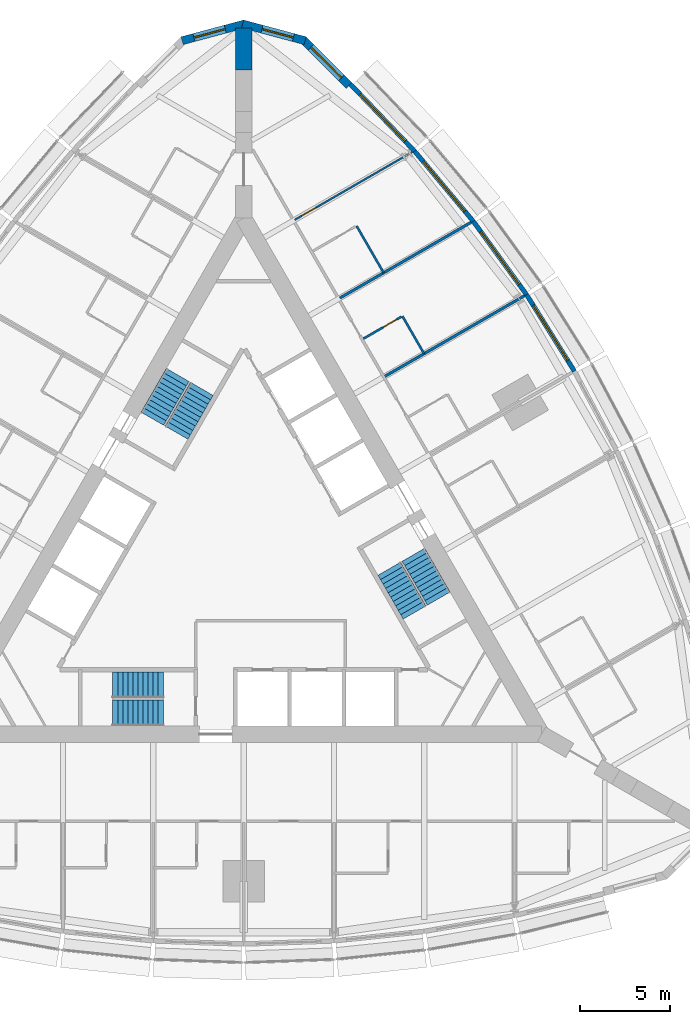
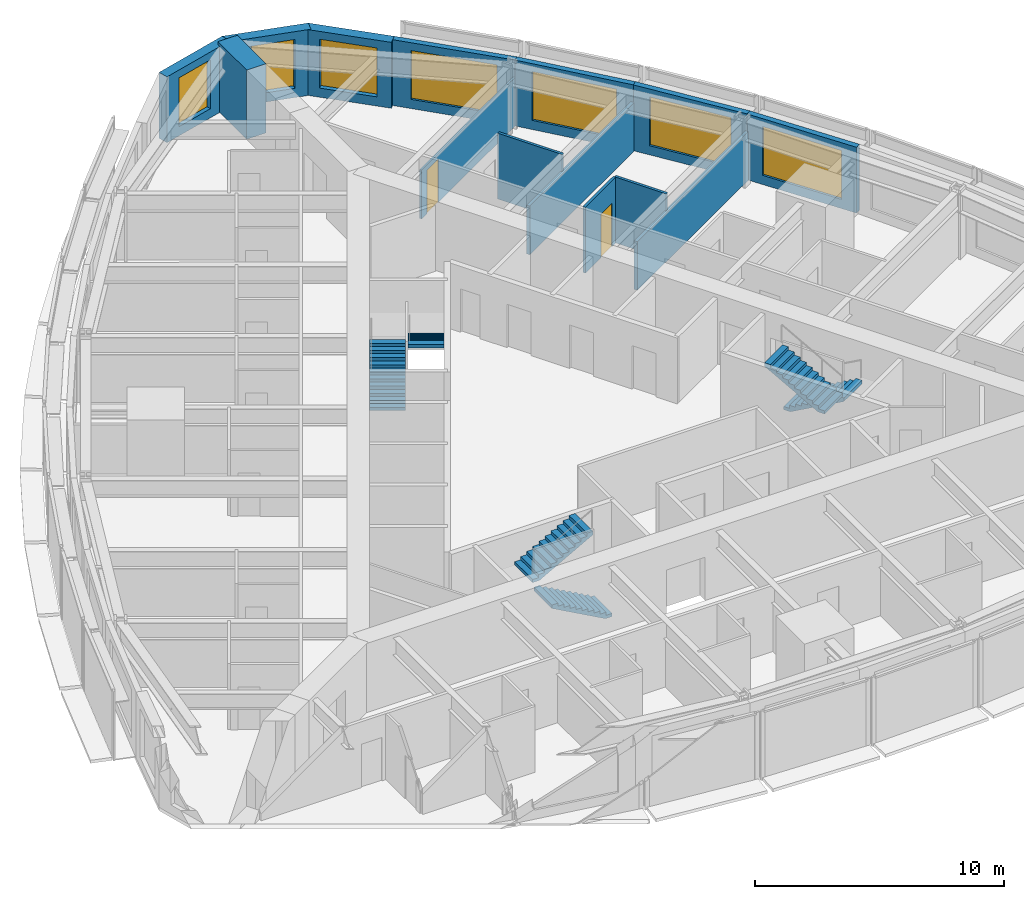
# One storey, part 13 of 14: 14 walls, 7 windows, 6 stair flights, 2 doors, 9 openings, 3 elements without a shape of their own.
"""IFC4 building model written with IfcOpenShell, lengths in metres."""

from ifc_helpers import new_model, si_unit, direction, frame, frame_2d, origin, place, context, subcontext, project, spatial, polyline, rectangle, outline, extrude, material, layer, layer_set, type_object, element, fill, aggregate, save


model = new_model("IFC4")

# Units and contexts
model_context = context("Model", 3, precision=1e-05, world=origin(), true_north=direction((0.0, 1.0)))
body_context = subcontext(model_context, "Body", "Model", "MODEL_VIEW")
ifc_project = project(units=[si_unit("LENGTHUNIT", "METRE"), si_unit("AREAUNIT", "SQUARE_METRE"), si_unit("VOLUMEUNIT", "CUBIC_METRE"), si_unit("PLANEANGLEUNIT", "RADIAN"), si_unit("MASSUNIT", "GRAM", prefix="KILO")], contexts=[model_context])

# Site, building, storey
site_placement = place(None, origin())
site = spatial("IfcSite", under=ifc_project, at=site_placement, CompositionType="ELEMENT")
building_placement = place(site_placement, origin())
building = spatial("IfcBuilding", under=site, at=building_placement, Name="Trikona Tower", CompositionType="ELEMENT")
storey_placement = place(building_placement, frame((0.0, 0.0, 118.10009765625)))
storey = spatial("IfcBuildingStorey", under=building, at=storey_placement, Name="L30", CompositionType="ELEMENT", Elevation=118.10009765625)

# Wall
ifc_material_1 = material(Name="Metal stud and cement board", Category="gypsum")
ifc_layer_1 = layer(ifc_material_1, 0.1201171875)
ifc_layer_set_1 = layer_set([ifc_layer_1], Name="Bathroom wall 120")
wall_type_1 = type_object("IfcWallType", Name="Bathroom wall 120", PredefinedType="PLUMBINGWALL", material=ifc_layer_set_1)
wall_1_placement = place(storey_placement, frame((9.993408203125, 11.543212890625, 0.0), z_axis=(0.0, 0.0, 1.0), x_axis=(-0.500001309137, 0.866024647952, 0.0)))
element("IfcWall", 1, at=wall_1_placement, inside=storey, type_object=wall_type_1, Name="Bathroom wall 3011", PredefinedType="PLUMBINGWALL", context=body_context, shape_type="SweptSolid", body=[
    extrude(rectangle(XDim=2.39990234375, YDim=0.1201171875, at=frame_2d((1.199951171875, 0.0))), origin(), (0.0, 0.0, 1.0), 3.23486328125),
])

# Wall, opening, door
wall_2_placement = place(storey_placement, frame((6.62841796875, 12.37158203125, 0.0), z_axis=(0.0, 0.0, 1.0), x_axis=(0.866005645448, 0.500034220881, 0.0)))
wall_2 = element("IfcWall", 2, at=wall_2_placement, inside=storey, type_object=wall_type_1, Name="Bathroom wall 3011", PredefinedType="PLUMBINGWALL", context=body_context, shape_type="SweptSolid", body=[
    extrude(rectangle(XDim=2.440185546875, YDim=0.1201171875, at=frame_2d((1.22021484375, 0.0))), origin(), (0.0, 0.0, 1.0), 3.23486328125),
])
opening_1_placement = place(wall_2_placement, frame((1.25, 0.0, 0.0)))
opening_1 = element("IfcOpeningElement", 3, at=opening_1_placement, cuts=wall_2, Name="Opening D2", PredefinedType="OPENING", context=body_context, shape_type="SweptSolid", body=[
    extrude(rectangle(XDim=0.89990234375, YDim=2.1298828125, at=frame_2d((0.449951171875, 1.06494140625))), frame((0.0, 0.070068359375, 0.0), z_axis=(0.0, -1.0, 0.0), x_axis=(1.0, 0.0, 0.0)), (0.0, 0.0, 1.0), 0.14013671875),
])
ifc_material_2 = material(Name="Steel door frame with solid-core timber leaf", Category="steel")
door_type_1 = type_object("IfcDoorType", Name="Bathroom door 900x2130", OperationType="SLIDING_TO_LEFT", PredefinedType="DOOR", material=ifc_material_2)
door_1_placement = place(opening_1_placement, origin())
door_1 = element("IfcDoor", 4, at=door_1_placement, inside=storey, type_object=door_type_1, Name="Bathroom door 3011", OperationType="SLIDING_TO_LEFT", OverallHeight=2.1298828125, OverallWidth=0.89990234375, PredefinedType="DOOR", context=body_context, shape_type="SweptSolid", body=[
    extrude(rectangle(XDim=0.89990234375, YDim=2.1298828125, at=frame_2d((0.449951171875, 1.06494140625))), frame((0.0, 0.02490234375, 0.0), z_axis=(0.0, -1.0, 0.0), x_axis=(1.0, 0.0, 0.0)), (0.0, 0.0, 1.0), 0.050048828125),
])
fill(opening_1, door_1)

# Wall
wall_3_placement = place(storey_placement, frame((7.75341796875, 16.0234375, 0.0), z_axis=(0.0, 0.0, 1.0), x_axis=(-0.499990139034, 0.866031096941, 0.0)))
element("IfcWall", 5, at=wall_3_placement, inside=storey, type_object=wall_type_1, Name="Bathroom wall 3012.1", PredefinedType="PLUMBINGWALL", context=body_context, shape_type="SweptSolid", body=[
    extrude(rectangle(XDim=3.0, YDim=0.1201171875, at=frame_2d((1.5, 0.0))), origin(), (0.0, 0.0, 1.0), 3.23486328125),
])

# Wall, opening, window
ifc_material_3 = material(Name="Brick-faced precast concrete", Category="masonry")
ifc_layer_2 = layer(ifc_material_3, 0.449951171875)
ifc_layer_set_2 = layer_set([ifc_layer_2], Name="Brick-faced corner wall 450")
wall_type_2 = type_object("IfcWallType", Name="Brick-faced corner wall 450", PredefinedType="SOLIDWALL", material=ifc_layer_set_2)
wall_4_placement = place(storey_placement, frame((5.8408203125, 26.39892578125, 0.0), z_axis=(0.0, 0.0, 1.0), x_axis=(-0.707106781187, 0.707106781187, 0.0)))
wall_4 = element("IfcWall", 6, at=wall_4_placement, inside=storey, type_object=wall_type_2, Name="External wall L30-20", PredefinedType="SOLIDWALL", context=body_context, shape_type="SweptSolid", body=[
    extrude(rectangle(XDim=3.586181640625, YDim=0.449951171875, at=frame_2d((1.79296875, 0.0))), origin(), (0.0, 0.0, 1.0), 3.23486328125),
])
opening_2_placement = place(wall_4_placement, frame((0.59326171875, 0.0, 0.449951171875)))
opening_2 = element("IfcOpeningElement", 7, at=opening_2_placement, cuts=wall_4, Name="Opening W2424", PredefinedType="OPENING", context=body_context, shape_type="SweptSolid", body=[
    extrude(rectangle(XDim=2.39990234375, YDim=2.39990234375, at=frame_2d((1.199951171875, 1.199951171875))), frame((0.0, 0.23486328125, 0.0), z_axis=(0.0, -1.0, 0.0), x_axis=(1.0, 0.0, 0.0)), (0.0, 0.0, 1.0), 0.469970703125),
])
ifc_material_4 = material(Name="Aluminium-framed double glazing", Category="aluminium")
window_type_1 = type_object("IfcWindowType", Name="Window 2400x2400", PartitioningType="SINGLE_PANEL", PredefinedType="WINDOW", material=ifc_material_4)
window_1_placement = place(opening_2_placement, origin())
window_1 = element("IfcWindow", 8, at=window_1_placement, inside=storey, type_object=window_type_1, Name="Window 3012", OverallHeight=2.39990234375, OverallWidth=2.39990234375, PartitioningType="SINGLE_PANEL", PredefinedType="WINDOW", context=body_context, shape_type="SweptSolid", body=[
    extrude(rectangle(XDim=2.39990234375, YDim=2.39990234375, at=frame_2d((1.199951171875, 1.199951171875))), frame((0.0, 0.030029296875, 0.0), z_axis=(0.0, -1.0, 0.0), x_axis=(1.0, 0.0, 0.0)), (0.0, 0.0, 1.0), 0.06005859375),
])
fill(opening_2, window_1)

wall_5_placement = place(storey_placement, frame((3.406005859375, 28.876708984375, 0.0), z_axis=(0.0, 0.0, 1.0), x_axis=(-0.965924653531, 0.258823421857, 0.0)))
wall_5 = element("IfcWall", 9, at=wall_5_placement, inside=storey, type_object=wall_type_2, Name="External wall L30-21", PredefinedType="SOLIDWALL", context=body_context, shape_type="SweptSolid", body=[
    extrude(outline(polyline([(3.58642578125, 0.22509765625), (3.526611328125, 0.22509765625), (3.035400390625, 0.09326171875), (3.0, 0.22509765625), (0.0, 0.22509765625), (0.0, -0.22509765625), (3.58642578125, -0.22509765625), (3.58642578125, 0.22509765625)])), origin(), (0.0, 0.0, 1.0), 3.23486328125),
])
opening_3_placement = place(wall_5_placement, frame((0.6748046875, 0.0, 0.449951171875)))
opening_3 = element("IfcOpeningElement", 10, at=opening_3_placement, cuts=wall_5, Name="Opening W1824", PredefinedType="OPENING", context=body_context, shape_type="SweptSolid", body=[
    extrude(rectangle(XDim=1.800048828125, YDim=2.39990234375, at=frame_2d((0.89990234375, 1.199951171875))), frame((0.0, 0.23486328125, 0.0), z_axis=(0.0, -1.0, 0.0), x_axis=(1.0, 0.0, 0.0)), (0.0, 0.0, 1.0), 0.469970703125),
])
ifc_material_5 = material(Name="Aluminium-framed double glazing", Category="aluminium")
window_type_2 = type_object("IfcWindowType", Name="Window 1800x2400", PartitioningType="SINGLE_PANEL", PredefinedType="WINDOW", material=ifc_material_5)
window_2_placement = place(opening_3_placement, origin())
window_2 = element("IfcWindow", 11, at=window_2_placement, inside=storey, type_object=window_type_2, Name="Window 3012", OverallHeight=2.39990234375, OverallWidth=1.800048828125, PartitioningType="SINGLE_PANEL", PredefinedType="WINDOW", context=body_context, shape_type="SweptSolid", body=[
    extrude(rectangle(XDim=1.800048828125, YDim=2.39990234375, at=frame_2d((0.89990234375, 1.199951171875))), frame((0.0, 0.030029296875, 0.0), z_axis=(0.0, -1.0, 0.0), x_axis=(1.0, 0.0, 0.0)), (0.0, 0.0, 1.0), 0.06005859375),
])
fill(opening_3, window_2)

wall_6_placement = place(storey_placement, frame((0.05810546875, 29.804931640625, 0.0), z_axis=(0.0, 0.0, 1.0), x_axis=(-0.965924653531, -0.258823421857, 0.0)))
wall_6 = element("IfcWall", 12, at=wall_6_placement, inside=storey, type_object=wall_type_2, Name="External wall L30-22", PredefinedType="SOLIDWALL", context=body_context, shape_type="SweptSolid", body=[
    extrude(outline(polyline([(3.58642578125, 0.22509765625), (0.58642578125, 0.22509765625), (0.551025390625, 0.09326171875), (0.0595703125, 0.22509765625), (0.0, 0.22509765625), (0.0, -0.22509765625), (3.58642578125, -0.22509765625), (3.58642578125, 0.22509765625)])), origin(), (0.0, 0.0, 1.0), 3.23486328125),
])
opening_4_placement = place(wall_6_placement, frame((1.111328125, 0.0, 0.449951171875)))
opening_4 = element("IfcOpeningElement", 13, at=opening_4_placement, cuts=wall_6, Name="Opening W1824", PredefinedType="OPENING", context=body_context, shape_type="SweptSolid", body=[
    extrude(rectangle(XDim=1.800048828125, YDim=2.39990234375, at=frame_2d((0.89990234375, 1.199951171875))), frame((0.0, 0.23486328125, 0.0), z_axis=(0.0, -1.0, 0.0), x_axis=(1.0, 0.0, 0.0)), (0.0, 0.0, 1.0), 0.469970703125),
])
window_3_placement = place(opening_4_placement, origin())
window_3 = element("IfcWindow", 14, at=window_3_placement, inside=storey, type_object=window_type_2, Name="Window 3013", OverallHeight=2.39990234375, OverallWidth=1.800048828125, PartitioningType="SINGLE_PANEL", PredefinedType="WINDOW", context=body_context, shape_type="SweptSolid", body=[
    extrude(rectangle(XDim=1.800048828125, YDim=2.39990234375, at=frame_2d((0.89990234375, 1.199951171875))), frame((0.0, 0.030029296875, 0.0), z_axis=(0.0, -1.0, 0.0), x_axis=(1.0, 0.0, 0.0)), (0.0, 0.0, 1.0), 0.06005859375),
])
fill(opening_4, window_3)

# Wall
ifc_material_6 = material(Name="Concrete f'c 10000 psi", Category="concrete")
ifc_layer_3 = layer(ifc_material_6, 0.89990234375)
ifc_layer_set_3 = layer_set([ifc_layer_3], Name="Buttress wall 900")
wall_type_3 = type_object("IfcWallType", Name="Buttress wall 900", PredefinedType="SHEAR", material=ifc_layer_set_3)
wall_7_placement = place(storey_placement, frame((0.0, 27.2626953125, 0.0), z_axis=(0.0, 0.0, 1.0), x_axis=(0.0, 1.0, 0.0)))
element("IfcWall", 15, at=wall_7_placement, inside=storey, type_object=wall_type_3, Name="Buttress wall 2 part 4", PredefinedType="SHEAR", context=body_context, shape_type="SweptSolid", body=[
    extrude(rectangle(XDim=2.3095703125, YDim=0.89990234375, at=frame_2d((1.15478515625, 0.0))), origin(), (0.0, 0.0, 1.0), 3.39990234375),
])

# Wall, opening, window
ifc_material_7 = material(Name="Insulated precast concrete spandrel panel", Category="concrete")
ifc_layer_4 = layer(ifc_material_7, 0.25)
ifc_layer_set_4 = layer_set([ifc_layer_4], Name="Inner skin wall 250")
wall_type_4 = type_object("IfcWallType", Name="Inner skin wall 250", PredefinedType="STANDARD", material=ifc_layer_set_4)
wall_8_placement = place(storey_placement, frame((18.31884765625, 10.5712890625, 0.0), z_axis=(0.0, 0.0, 1.0), x_axis=(-0.529990167382, 0.84800378683, 0.0)))
wall_8 = element("IfcWall", 16, at=wall_8_placement, inside=storey, type_object=wall_type_4, Name="External wall L30-16", PredefinedType="STANDARD", context=body_context, shape_type="SweptSolid", body=[
    extrude(rectangle(XDim=5.003173828125, YDim=0.25, at=frame_2d((2.50146484375, 0.0))), origin(), (0.0, 0.0, 1.0), 3.23486328125),
])
opening_5_placement = place(wall_8_placement, frame((0.701416015625, 0.0, 0.449951171875)))
opening_5 = element("IfcOpeningElement", 17, at=opening_5_placement, cuts=wall_8, Name="Opening W3624", PredefinedType="OPENING", context=body_context, shape_type="SweptSolid", body=[
    extrude(rectangle(XDim=3.60009765625, YDim=2.39990234375, at=frame_2d((1.800048828125, 1.199951171875))), frame((0.0, 0.135009765625, 0.0), z_axis=(0.0, -1.0, 0.0), x_axis=(1.0, 0.0, 0.0)), (0.0, 0.0, 1.0), 0.27001953125),
])
ifc_material_8 = material(Name="Aluminium-framed double glazing", Category="aluminium")
window_type_3 = type_object("IfcWindowType", Name="Window 3600x2400", PartitioningType="SINGLE_PANEL", PredefinedType="WINDOW", material=ifc_material_8)
window_4_placement = place(opening_5_placement, origin())
window_4 = element("IfcWindow", 18, at=window_4_placement, inside=storey, type_object=window_type_3, Name="Window 3010", OverallHeight=2.39990234375, OverallWidth=3.60009765625, PartitioningType="SINGLE_PANEL", PredefinedType="WINDOW", context=body_context, shape_type="SweptSolid", body=[
    extrude(rectangle(XDim=3.60009765625, YDim=2.39990234375, at=frame_2d((1.800048828125, 1.199951171875))), frame((0.0, 0.030029296875, 0.0), z_axis=(0.0, -1.0, 0.0), x_axis=(1.0, 0.0, 0.0)), (0.0, 0.0, 1.0), 0.06005859375),
])
fill(opening_5, window_4)

wall_9_placement = place(storey_placement, frame((15.672119140625, 14.806640625, 0.0), z_axis=(0.0, 0.0, 1.0), x_axis=(-0.587669188412, 0.809101307001, 0.0)))
wall_9 = element("IfcWall", 19, at=wall_9_placement, inside=storey, type_object=wall_type_4, Name="External wall L30-17", PredefinedType="STANDARD", context=body_context, shape_type="SweptSolid", body=[
    extrude(rectangle(XDim=5.027587890625, YDim=0.25, at=frame_2d((2.513671875, 0.0))), origin(), (0.0, 0.0, 1.0), 3.23486328125),
])
opening_6_placement = place(wall_9_placement, frame((0.7138671875, 0.0, 0.449951171875)))
opening_6 = element("IfcOpeningElement", 20, at=opening_6_placement, cuts=wall_9, Name="Opening W3624", PredefinedType="OPENING", context=body_context, shape_type="SweptSolid", body=[
    extrude(rectangle(XDim=3.60009765625, YDim=2.39990234375, at=frame_2d((1.800048828125, 1.199951171875))), frame((0.0, 0.135009765625, 0.0), z_axis=(0.0, -1.0, 0.0), x_axis=(1.0, 0.0, 0.0)), (0.0, 0.0, 1.0), 0.27001953125),
])
window_5_placement = place(opening_6_placement, origin())
window_5 = element("IfcWindow", 21, at=window_5_placement, inside=storey, type_object=window_type_3, Name="Window 3011", OverallHeight=2.39990234375, OverallWidth=3.60009765625, PartitioningType="SINGLE_PANEL", PredefinedType="WINDOW", context=body_context, shape_type="SweptSolid", body=[
    extrude(rectangle(XDim=3.60009765625, YDim=2.39990234375, at=frame_2d((1.800048828125, 1.199951171875))), frame((0.0, 0.030029296875, 0.0), z_axis=(0.0, -1.0, 0.0), x_axis=(1.0, 0.0, 0.0)), (0.0, 0.0, 1.0), 0.06005859375),
])
fill(opening_6, window_5)

wall_10_placement = place(storey_placement, frame((12.722900390625, 18.86767578125, 0.0), z_axis=(0.0, 0.0, 1.0), x_axis=(-0.641810386606, 0.766863369607, 0.0)))
wall_10 = element("IfcWall", 22, at=wall_10_placement, inside=storey, type_object=wall_type_4, Name="External wall L30-18", PredefinedType="STANDARD", context=body_context, shape_type="SweptSolid", body=[
    extrude(rectangle(XDim=5.075927734375, YDim=0.25, at=frame_2d((2.5380859375, 0.0))), origin(), (0.0, 0.0, 1.0), 3.23486328125),
])
opening_7_placement = place(wall_10_placement, frame((0.738037109375, 0.0, 0.449951171875)))
opening_7 = element("IfcOpeningElement", 23, at=opening_7_placement, cuts=wall_10, Name="Opening W3624", PredefinedType="OPENING", context=body_context, shape_type="SweptSolid", body=[
    extrude(rectangle(XDim=3.60009765625, YDim=2.39990234375, at=frame_2d((1.800048828125, 1.199951171875))), frame((0.0, 0.135009765625, 0.0), z_axis=(0.0, -1.0, 0.0), x_axis=(1.0, 0.0, 0.0)), (0.0, 0.0, 1.0), 0.27001953125),
])
window_6_placement = place(opening_7_placement, origin())
window_6 = element("IfcWindow", 24, at=window_6_placement, inside=storey, type_object=window_type_3, Name="Window 3012.1", OverallHeight=2.39990234375, OverallWidth=3.60009765625, PartitioningType="SINGLE_PANEL", PredefinedType="WINDOW", context=body_context, shape_type="SweptSolid", body=[
    extrude(rectangle(XDim=3.60009765625, YDim=2.39990234375, at=frame_2d((1.800048828125, 1.199951171875))), frame((0.0, 0.030029296875, 0.0), z_axis=(0.0, -1.0, 0.0), x_axis=(1.0, 0.0, 0.0)), (0.0, 0.0, 1.0), 0.06005859375),
])
fill(opening_7, window_6)

wall_11_placement = place(storey_placement, frame((9.470703125, 22.75390625, 0.0), z_axis=(0.0, 0.0, 1.0), x_axis=(-0.691719937936, 0.722165858693, 0.0)))
wall_11 = element("IfcWall", 25, at=wall_11_placement, inside=storey, type_object=wall_type_4, Name="External wall L30-19", PredefinedType="STANDARD", context=body_context, shape_type="SweptSolid", body=[
    extrude(rectangle(XDim=5.148193359375, YDim=0.25, at=frame_2d((2.57421875, 0.0))), origin(), (0.0, 0.0, 1.0), 3.23486328125),
])
opening_8_placement = place(wall_11_placement, frame((0.77392578125, 0.0, 0.449951171875)))
opening_8 = element("IfcOpeningElement", 26, at=opening_8_placement, cuts=wall_11, Name="Opening W3624", PredefinedType="OPENING", context=body_context, shape_type="SweptSolid", body=[
    extrude(rectangle(XDim=3.60009765625, YDim=2.39990234375, at=frame_2d((1.800048828125, 1.199951171875))), frame((0.0, 0.135009765625, 0.0), z_axis=(0.0, -1.0, 0.0), x_axis=(1.0, 0.0, 0.0)), (0.0, 0.0, 1.0), 0.27001953125),
])
window_7_placement = place(opening_8_placement, origin())
window_7 = element("IfcWindow", 27, at=window_7_placement, inside=storey, type_object=window_type_3, Name="Window 3012", OverallHeight=2.39990234375, OverallWidth=3.60009765625, PartitioningType="SINGLE_PANEL", PredefinedType="WINDOW", context=body_context, shape_type="SweptSolid", body=[
    extrude(rectangle(XDim=3.60009765625, YDim=2.39990234375, at=frame_2d((1.800048828125, 1.199951171875))), frame((0.0, 0.030029296875, 0.0), z_axis=(0.0, -1.0, 0.0), x_axis=(1.0, 0.0, 0.0)), (0.0, 0.0, 1.0), 0.06005859375),
])
fill(opening_8, window_7)

# Walls
ifc_material_9 = material(Name="Metal stud and gypsum board, 1-hour acoustic", Category="gypsum")
ifc_layer_5 = layer(ifc_material_9, 0.14990234375)
ifc_layer_set_5 = layer_set([ifc_layer_5], Name="Party wall 150")
wall_type_5 = type_object("IfcWallType", Name="Party wall 150", PredefinedType="PARTITIONING", material=ifc_layer_set_5)
wall_12_placement = place(storey_placement, frame((7.82861328125, 10.293212890625, 0.0), z_axis=(0.0, 0.0, 1.0), x_axis=(0.866027015393, 0.499997208602, 0.0)))
element("IfcWall", 28, at=wall_12_placement, inside=storey, type_object=wall_type_5, Name="Partition L30 F2 u5", PredefinedType="PARTITIONING", context=body_context, shape_type="SweptSolid", body=[
    extrude(rectangle(XDim=8.92236328125, YDim=0.14990234375, at=frame_2d((4.461181640625, 0.0))), origin(), (0.0, 0.0, 1.0), 2.38916015625),
])
wall_13_placement = place(storey_placement, frame((5.32861328125, 14.623291015625, 0.0), z_axis=(0.0, 0.0, 1.0), x_axis=(0.866011723728, 0.500023693804, 0.0)))
element("IfcWall", 29, at=wall_13_placement, inside=storey, type_object=wall_type_5, Name="Partition L30 F2 u10", PredefinedType="PARTITIONING", context=body_context, shape_type="SweptSolid", body=[
    extrude(rectangle(XDim=8.39501953125, YDim=0.14990234375, at=frame_2d((4.197509765625, 0.0))), origin(), (0.0, 0.0, 1.0), 2.38916015625),
])

# Wall, opening, door
ifc_material_10 = material(Name="Metal stud and gypsum board, acoustic", Category="gypsum")
ifc_layer_6 = layer(ifc_material_10, 0.10009765625)
ifc_layer_set_6 = layer_set([ifc_layer_6], Name="Suite partition 100")
wall_type_6 = type_object("IfcWallType", Name="Suite partition 100", PredefinedType="PARTITIONING", material=ifc_layer_set_6)
wall_14_placement = place(storey_placement, frame((2.82861328125, 18.95361328125, 0.0), z_axis=(0.0, 0.0, 1.0), x_axis=(0.866015739374, 0.500016738876, 0.0)))
wall_14 = element("IfcWall", 30, at=wall_14_placement, inside=storey, type_object=wall_type_6, Name="Suite partition L30 F2 u15", PredefinedType="PARTITIONING", context=body_context, shape_type="SweptSolid", body=[
    extrude(rectangle(XDim=7.516357421875, YDim=0.10009765625, at=frame_2d((3.75830078125, 0.0))), origin(), (0.0, 0.0, 1.0), 2.38916015625),
])
opening_9_placement = place(wall_14_placement, frame((0.449951171875, 0.0, 0.0)))
opening_9 = element("IfcOpeningElement", 31, at=opening_9_placement, cuts=wall_14, Name="Opening D13", PredefinedType="OPENING", context=body_context, shape_type="SweptSolid", body=[
    extrude(rectangle(XDim=0.89990234375, YDim=2.1298828125, at=frame_2d((0.449951171875, 1.06494140625))), frame((0.0, 0.06005859375, 0.0), z_axis=(0.0, -1.0, 0.0), x_axis=(1.0, 0.0, 0.0)), (0.0, 0.0, 1.0), 0.1201171875),
])
ifc_material_11 = material(Name="Steel door frame with solid-core timber leaf", Category="steel")
door_type_2 = type_object("IfcDoorType", Name="Suite door 900x2130", OperationType="SINGLE_SWING_LEFT", PredefinedType="DOOR", material=ifc_material_11)
door_2_placement = place(opening_9_placement, origin())
door_2 = element("IfcDoor", 32, at=door_2_placement, inside=storey, type_object=door_type_2, Name="Suite door 3012", OperationType="SINGLE_SWING_LEFT", OverallHeight=2.1298828125, OverallWidth=0.89990234375, PredefinedType="DOOR", context=body_context, shape_type="SweptSolid", body=[
    extrude(rectangle(XDim=0.89990234375, YDim=2.1298828125, at=frame_2d((0.449951171875, 1.06494140625))), frame((0.0, 0.02490234375, 0.0), z_axis=(0.0, -1.0, 0.0), x_axis=(1.0, 0.0, 0.0)), (0.0, 0.0, 1.0), 0.050048828125),
])
fill(opening_9, door_2)

# Stair, stair flights
ifc_material_12 = material(Name="Concrete f'c 5000 psi", Category="concrete")
stair_type = type_object("IfcStairType", Name="Core stair", PredefinedType="HALF_TURN_STAIR", material=ifc_material_12)
stair_1_placement = place(storey_placement, origin())
stair_1 = element("IfcStair", 33, at=stair_1_placement, inside=storey, type_object=stair_type, Name="Stair A L30", PredefinedType="HALF_TURN_STAIR")
ifc_material_13 = material(Name="Concrete f'c 5000 psi", Category="concrete")
stair_flight_type = type_object("IfcStairFlightType", Name="Core stair flight 1450", PredefinedType="STRAIGHT", material=ifc_material_13)
stair_flight_1_placement = place(storey_placement, frame((-4.449951171875, -8.351318359375, 0.0), z_axis=(0.0, 0.0, 1.0), x_axis=(-1.0, 0.0, 0.0)))
stair_flight_1 = element("IfcStairFlight", 34, at=stair_flight_1_placement, type_object=stair_flight_type, Name="ST-A flight 1", NumberOfRisers=11, NumberOfTreads=10, PredefinedType="STRAIGHT", RiserHeight=0.154545, TreadLength=0.28, context=body_context, shape_type="SweptSolid", body=[
    extrude(outline(polyline([(0.0, 0.0), (0.0, 0.154541015625), (0.280029296875, 0.154541015625), (0.280029296875, 0.30908203125), (0.56005859375, 0.30908203125), (0.56005859375, 0.463623046875), (0.840087890625, 0.463623046875), (0.840087890625, 0.6181640625), (1.1201171875, 0.6181640625), (1.1201171875, 0.772705078125), (1.39990234375, 0.772705078125), (1.39990234375, 0.92724609375), (1.679931640625, 0.92724609375), (1.679931640625, 1.081787109375), (1.9599609375, 1.081787109375), (1.9599609375, 1.236328125), (2.239990234375, 1.236328125), (2.239990234375, 1.390869140625), (2.52001953125, 1.390869140625), (2.52001953125, 1.54541015625), (2.800048828125, 1.54541015625), (2.800048828125, 1.699951171875), (2.800048828125, 1.374267578125), (0.310302734375, 0.0), (0.0, 0.0)])), frame((0.0, 0.72509765625, 0.0), z_axis=(0.0, -1.0, 0.0), x_axis=(1.0, 0.0, 0.0)), (0.0, 0.0, 1.0), 1.449951171875),
])
stair_flight_2_placement = place(storey_placement, frame((-7.25, -6.80126953125, 1.699951171875), z_axis=(0.0, 0.0, 1.0), x_axis=(1.0, 0.0, 0.0)))
stair_flight_2 = element("IfcStairFlight", 35, at=stair_flight_2_placement, type_object=stair_flight_type, Name="ST-A flight 2", NumberOfRisers=11, NumberOfTreads=10, PredefinedType="STRAIGHT", RiserHeight=0.154545, TreadLength=0.28, context=body_context, shape_type="SweptSolid", body=[
    extrude(outline(polyline([(0.0, 0.0), (0.0, 0.154541015625), (0.280029296875, 0.154541015625), (0.280029296875, 0.30908203125), (0.56005859375, 0.30908203125), (0.56005859375, 0.463623046875), (0.840087890625, 0.463623046875), (0.840087890625, 0.6181640625), (1.1201171875, 0.6181640625), (1.1201171875, 0.772705078125), (1.39990234375, 0.772705078125), (1.39990234375, 0.92724609375), (1.679931640625, 0.92724609375), (1.679931640625, 1.081787109375), (1.9599609375, 1.081787109375), (1.9599609375, 1.236328125), (2.239990234375, 1.236328125), (2.239990234375, 1.390869140625), (2.52001953125, 1.390869140625), (2.52001953125, 1.54541015625), (2.800048828125, 1.54541015625), (2.800048828125, 1.699951171875), (2.800048828125, 1.374267578125), (0.310302734375, 0.0), (0.0, 0.0)])), frame((0.0, 0.72509765625, 0.0), z_axis=(0.0, -1.0, 0.0), x_axis=(1.0, 0.0, 0.0)), (0.0, 0.0, 1.0), 1.449951171875),
])
aggregate(stair_1, [stair_flight_1, stair_flight_2])

stair_2_placement = place(storey_placement, origin())
stair_2 = element("IfcStair", 36, at=stair_2_placement, inside=storey, type_object=stair_type, Name="Stair B L30", PredefinedType="HALF_TURN_STAIR")
stair_flight_3_placement = place(storey_placement, frame((9.407470703125, 0.408447265625, 0.0), z_axis=(0.0, 0.0, 1.0), x_axis=(0.5, -0.866025403784, 0.0)))
stair_flight_3 = element("IfcStairFlight", 37, at=stair_flight_3_placement, type_object=stair_flight_type, Name="ST-B flight 1", NumberOfRisers=11, NumberOfTreads=10, PredefinedType="STRAIGHT", RiserHeight=0.154545, TreadLength=0.28, context=body_context, shape_type="SweptSolid", body=[
    extrude(outline(polyline([(0.0, 0.0), (0.0, 0.154541015625), (0.280029296875, 0.154541015625), (0.280029296875, 0.30908203125), (0.56005859375, 0.30908203125), (0.56005859375, 0.463623046875), (0.840087890625, 0.463623046875), (0.840087890625, 0.6181640625), (1.1201171875, 0.6181640625), (1.1201171875, 0.772705078125), (1.39990234375, 0.772705078125), (1.39990234375, 0.92724609375), (1.679931640625, 0.92724609375), (1.679931640625, 1.081787109375), (1.9599609375, 1.081787109375), (1.9599609375, 1.236328125), (2.239990234375, 1.236328125), (2.239990234375, 1.390869140625), (2.52001953125, 1.390869140625), (2.52001953125, 1.54541015625), (2.800048828125, 1.54541015625), (2.800048828125, 1.699951171875), (2.800048828125, 1.374267578125), (0.310302734375, 0.0), (0.0, 0.0)])), frame((0.0, 0.72509765625, 0.0), z_axis=(0.0, -1.0, 0.0), x_axis=(1.0, 0.0, 0.0)), (0.0, 0.0, 1.0), 1.449951171875),
])
stair_flight_4_placement = place(storey_placement, frame((9.465087890625, -2.79150390625, 1.699951171875), z_axis=(0.0, 0.0, 1.0), x_axis=(-0.5, 0.866025403784, 0.0)))
stair_flight_4 = element("IfcStairFlight", 38, at=stair_flight_4_placement, type_object=stair_flight_type, Name="ST-B flight 2", NumberOfRisers=11, NumberOfTreads=10, PredefinedType="STRAIGHT", RiserHeight=0.154545, TreadLength=0.28, context=body_context, shape_type="SweptSolid", body=[
    extrude(outline(polyline([(0.0, 0.0), (0.0, 0.154541015625), (0.280029296875, 0.154541015625), (0.280029296875, 0.30908203125), (0.56005859375, 0.30908203125), (0.56005859375, 0.463623046875), (0.840087890625, 0.463623046875), (0.840087890625, 0.6181640625), (1.1201171875, 0.6181640625), (1.1201171875, 0.772705078125), (1.39990234375, 0.772705078125), (1.39990234375, 0.92724609375), (1.679931640625, 0.92724609375), (1.679931640625, 1.081787109375), (1.9599609375, 1.081787109375), (1.9599609375, 1.236328125), (2.239990234375, 1.236328125), (2.239990234375, 1.390869140625), (2.52001953125, 1.390869140625), (2.52001953125, 1.54541015625), (2.800048828125, 1.54541015625), (2.800048828125, 1.699951171875), (2.800048828125, 1.374267578125), (0.310302734375, 0.0), (0.0, 0.0)])), frame((0.0, 0.72509765625, 0.0), z_axis=(0.0, -1.0, 0.0), x_axis=(1.0, 0.0, 0.0)), (0.0, 0.0, 1.0), 1.449951171875),
])
aggregate(stair_2, [stair_flight_3, stair_flight_4])

stair_3_placement = place(storey_placement, origin())
stair_3 = element("IfcStair", 39, at=stair_3_placement, inside=storey, type_object=stair_type, Name="Stair C L30", PredefinedType="HALF_TURN_STAIR")
stair_flight_5_placement = place(storey_placement, frame((-5.057373046875, 7.94287109375, 0.0), z_axis=(0.0, 0.0, 1.0), x_axis=(0.5, 0.866025403784, 0.0)))
stair_flight_5 = element("IfcStairFlight", 40, at=stair_flight_5_placement, type_object=stair_flight_type, Name="ST-C flight 1", NumberOfRisers=11, NumberOfTreads=10, PredefinedType="STRAIGHT", RiserHeight=0.154545, TreadLength=0.28, context=body_context, shape_type="SweptSolid", body=[
    extrude(outline(polyline([(0.0, 0.0), (0.0, 0.154541015625), (0.280029296875, 0.154541015625), (0.280029296875, 0.30908203125), (0.56005859375, 0.30908203125), (0.56005859375, 0.463623046875), (0.840087890625, 0.463623046875), (0.840087890625, 0.6181640625), (1.1201171875, 0.6181640625), (1.1201171875, 0.772705078125), (1.39990234375, 0.772705078125), (1.39990234375, 0.92724609375), (1.679931640625, 0.92724609375), (1.679931640625, 1.081787109375), (1.9599609375, 1.081787109375), (1.9599609375, 1.236328125), (2.239990234375, 1.236328125), (2.239990234375, 1.390869140625), (2.52001953125, 1.390869140625), (2.52001953125, 1.54541015625), (2.800048828125, 1.54541015625), (2.800048828125, 1.699951171875), (2.800048828125, 1.374267578125), (0.310302734375, 0.0), (0.0, 0.0)])), frame((0.0, 0.72509765625, 0.0), z_axis=(0.0, -1.0, 0.0), x_axis=(1.0, 0.0, 0.0)), (0.0, 0.0, 1.0), 1.449951171875),
])
stair_flight_6_placement = place(storey_placement, frame((-2.315185546875, 9.5927734375, 1.699951171875), z_axis=(0.0, 0.0, 1.0), x_axis=(-0.5, -0.866025403784, 0.0)))
stair_flight_6 = element("IfcStairFlight", 41, at=stair_flight_6_placement, type_object=stair_flight_type, Name="ST-C flight 2", NumberOfRisers=11, NumberOfTreads=10, PredefinedType="STRAIGHT", RiserHeight=0.154545, TreadLength=0.28, context=body_context, shape_type="SweptSolid", body=[
    extrude(outline(polyline([(0.0, 0.0), (0.0, 0.154541015625), (0.280029296875, 0.154541015625), (0.280029296875, 0.30908203125), (0.56005859375, 0.30908203125), (0.56005859375, 0.463623046875), (0.840087890625, 0.463623046875), (0.840087890625, 0.6181640625), (1.1201171875, 0.6181640625), (1.1201171875, 0.772705078125), (1.39990234375, 0.772705078125), (1.39990234375, 0.92724609375), (1.679931640625, 0.92724609375), (1.679931640625, 1.081787109375), (1.9599609375, 1.081787109375), (1.9599609375, 1.236328125), (2.239990234375, 1.236328125), (2.239990234375, 1.390869140625), (2.52001953125, 1.390869140625), (2.52001953125, 1.54541015625), (2.800048828125, 1.54541015625), (2.800048828125, 1.699951171875), (2.800048828125, 1.374267578125), (0.310302734375, 0.0), (0.0, 0.0)])), frame((0.0, 0.72509765625, 0.0), z_axis=(0.0, -1.0, 0.0), x_axis=(1.0, 0.0, 0.0)), (0.0, 0.0, 1.0), 1.449951171875),
])
aggregate(stair_3, [stair_flight_5, stair_flight_6])

save(model, "model.ifc")
